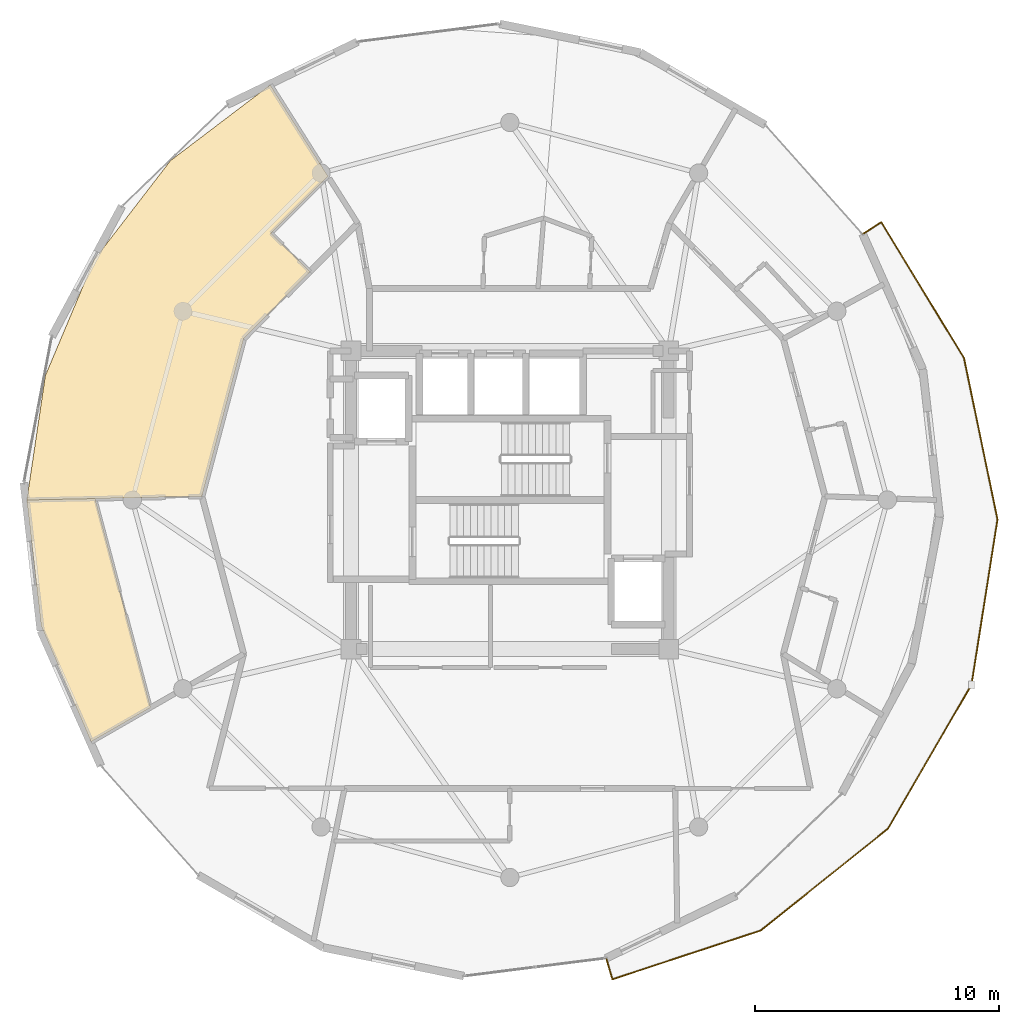
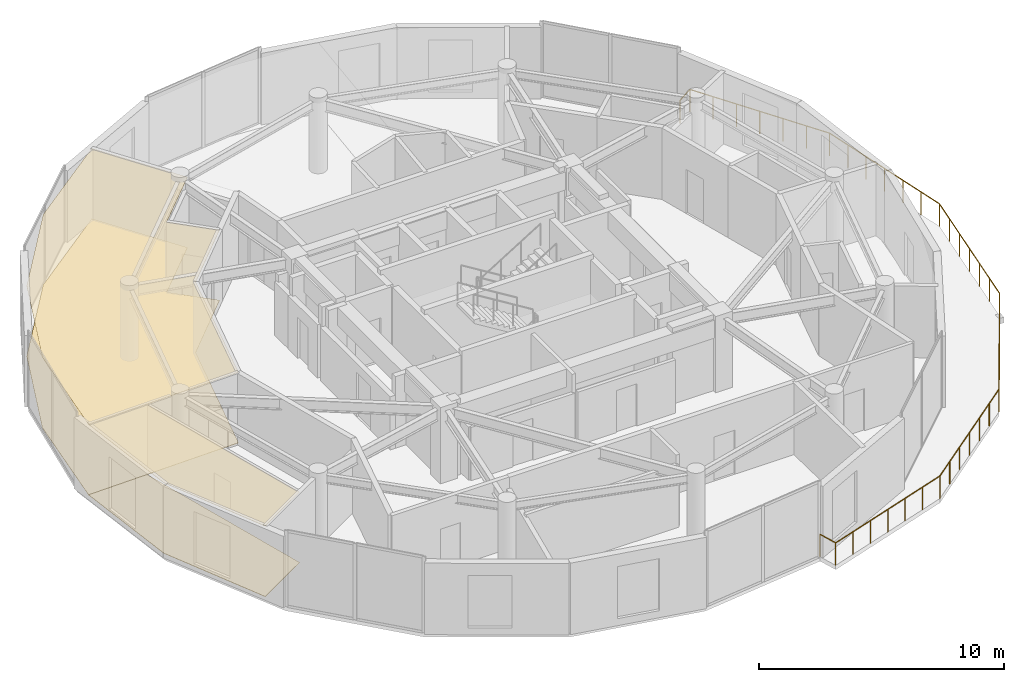
# One storey, part 22 of 23: 4 coverings, 1 railing.
"""IFC4 building model written with IfcOpenShell, lengths in metres."""

from ifc_helpers import new_model, si_unit, direction, frame, origin, origin_2d, place, context, subcontext, project, spatial, polyline, circle, outline, extrude, material, layer, layer_set, type_object, element, save


model = new_model("IFC4")

# Units and contexts
model_context = context("Model", 3, precision=1e-05, world=origin(), true_north=direction((0.0, 1.0)))
body_context = subcontext(model_context, "Body", "Model", "MODEL_VIEW")
ifc_project = project(units=[si_unit("LENGTHUNIT", "METRE"), si_unit("AREAUNIT", "SQUARE_METRE"), si_unit("VOLUMEUNIT", "CUBIC_METRE"), si_unit("PLANEANGLEUNIT", "RADIAN"), si_unit("MASSUNIT", "GRAM", prefix="KILO")], contexts=[model_context])

# Site, building, storey
site_placement = place(None, origin())
site = spatial("IfcSite", under=ifc_project, at=site_placement, CompositionType="ELEMENT")
building_placement = place(site_placement, origin())
building = spatial("IfcBuilding", under=site, at=building_placement, Name="Solvirekh Grand Hotel", CompositionType="ELEMENT")
storey_placement = place(building_placement, frame((0.0, 0.0, 285.800048828125)))
storey = spatial("IfcBuildingStorey", under=building, at=storey_placement, Name="L74", CompositionType="ELEMENT", Elevation=285.800048828125)

# Coverings
ifc_material_1 = material(Name="Acoustic Mineral Ceiling Tile")
ifc_layer_1 = layer(ifc_material_1, 0.02490234375)
ifc_layer_set_1 = layer_set([ifc_layer_1], Name="Acoustic Mineral Ceiling Tile")
covering_type_1 = type_object("IfcCoveringType", Name="Cov_Ceiling_Acoustic", PredefinedType="CEILING", material=ifc_layer_set_1)
covering_1_placement = place(storey_placement, frame((0.0, 0.0, 3.52001953125)))
element("IfcCovering", 1, at=covering_1_placement, inside=storey, type_object=covering_type_1, Name="L74 Diplomatic Suite 7603 Living Room acoustic ceiling", PredefinedType="CEILING", context=body_context, shape_type="SweptSolid", body=[
    extrude(outline(polyline([(-9.76611328125, 10.916015625), (-7.443115234375, 13.248046875), (-9.806884765625, 16.986083984375), (-13.887939453125, 13.887939453125), (-17.014892578125, 9.822998046875), (-19.008056640625, 5.093017578125), (-19.76611328125, 0.0), (-12.60009765625, 0.14990234375), (-10.89208984375, 6.60009765625), (-8.18505859375, 9.339111328125), (-9.76611328125, 10.916015625)])), origin(), (0.0, 0.0, 1.0), 0.017822265625),
])
covering_2_placement = place(storey_placement, frame((0.0, 0.0, 3.52001953125)))
element("IfcCovering", 2, at=covering_2_placement, inside=storey, type_object=covering_type_1, Name="L74 Diplomatic Suite 7603 Master Bedroom acoustic ceiling", PredefinedType="CEILING", context=body_context, shape_type="SweptSolid", body=[
    extrude(outline(polyline([(-19.76611328125, 0.0), (-19.180908203125, -5.139892578125), (-17.135986328125, -9.89306640625), (-14.700927734375, -8.491943359375), (-16.970947265625, 0.05810546875), (-19.76611328125, 0.0)])), origin(), (0.0, 0.0, 1.0), 0.017822265625),
])
ifc_material_2 = material(Name="Porcelain Stoneware Flooring", Category="masonry")
ifc_layer_2 = layer(ifc_material_2, 0.030029296875)
ifc_layer_set_2 = layer_set([ifc_layer_2], Name="Porcelain Stoneware Flooring")
covering_type_2 = type_object("IfcCoveringType", Name="Cov_Floor_Stone", PredefinedType="FLOORING", material=ifc_layer_set_2)
covering_3_placement = place(storey_placement, origin())
element("IfcCovering", 3, at=covering_3_placement, inside=storey, type_object=covering_type_2, Name="L74 Diplomatic Suite 7603 Living Room polished granite flooring", PredefinedType="FLOORING", context=body_context, shape_type="SweptSolid", body=[
    extrude(outline(polyline([(-9.76611328125, 10.916015625), (-7.443115234375, 13.248046875), (-9.806884765625, 16.986083984375), (-13.887939453125, 13.887939453125), (-17.014892578125, 9.822998046875), (-19.008056640625, 5.093017578125), (-19.76611328125, 0.0), (-12.60009765625, 0.14990234375), (-10.89208984375, 6.60009765625), (-8.18505859375, 9.339111328125), (-9.76611328125, 10.916015625)])), origin(), (0.0, 0.0, 1.0), 0.02001953125),
])
covering_4_placement = place(storey_placement, origin())
element("IfcCovering", 4, at=covering_4_placement, inside=storey, type_object=covering_type_2, Name="L74 Diplomatic Suite 7603 Master Bedroom polished granite flooring", PredefinedType="FLOORING", context=body_context, shape_type="SweptSolid", body=[
    extrude(outline(polyline([(-19.76611328125, 0.0), (-19.180908203125, -5.139892578125), (-17.135986328125, -9.89306640625), (-14.700927734375, -8.491943359375), (-16.970947265625, 0.05810546875), (-19.76611328125, 0.0)])), origin(), (0.0, 0.0, 1.0), 0.02001953125),
])

# Railing
ifc_material_3 = material(Name="Anodized Bronze Aluminium 6063-T6", Category="aluminium")
railing_type = type_object("IfcRailingType", Name="Guard_ExtGlass_1150", PredefinedType="BALUSTRADE", material=ifc_material_3)
railing_placement = place(storey_placement, frame((3.94091796875, -18.7509765625, 0.0)))
element("IfcRailing", 5, at=railing_placement, inside=storey, type_object=railing_type, Name="L74 balc perimeter glass balustrade", PredefinedType="BALUSTRADE", context=body_context, shape_type="SweptSolid", body=[
    extrude(circle(Radius=0.02392578125, at=origin_2d()), frame((0.0, 0.0, 1.1259765625), z_axis=(0.284485353738, -0.958680386525, 0.0), x_axis=(0.958680386525, 0.284485353738, 0.0)), (0.0, 0.0, 1.0), 0.900146484375),
    extrude(circle(Radius=0.02392578125, at=origin_2d()), frame((0.256103515625, -0.863037109375, 1.1259765625), z_axis=(0.949864177173, 0.312662829455, 0.0), x_axis=(-0.312662829455, 0.949864177173, 0.0)), (0.0, 0.0, 1.0), 6.3935546875),
    extrude(circle(Radius=0.02392578125, at=origin_2d()), frame((6.3291015625, 1.135986328125, 1.1259765625), z_axis=(0.780829450263, 0.624744243353, 0.0), x_axis=(-0.624744243353, 0.780829450263, 0.0)), (0.0, 0.0, 1.0), 6.656982421875),
    extrude(circle(Radius=0.02392578125, at=origin_2d()), frame((11.527099609375, 5.294921875, 1.1259765625), z_axis=(0.502431836668, 0.864616822357, 0.0), x_axis=(-0.864616822357, 0.502431836668, 0.0)), (0.0, 0.0, 1.0), 6.81689453125),
    extrude(circle(Radius=0.02392578125, at=origin_2d()), frame((14.9521484375, 11.18896484375, 1.1259765625), z_axis=(0.155340202918, 0.987861033424, 0.0), x_axis=(-0.987861033424, 0.155340202918, 0.0)), (0.0, 0.0, 1.0), 6.849365234375),
    extrude(circle(Radius=0.02392578125, at=origin_2d()), frame((16.01611328125, 17.955078125, 1.1259765625), z_axis=(-0.203280622136, 0.979120517947, 0.0), x_axis=(-0.979120517947, -0.203280622136, 0.0)), (0.0, 0.0, 1.0), 6.744873046875),
    extrude(circle(Radius=0.02392578125, at=origin_2d()), frame((14.64501953125, 24.55908203125, 1.1259765625), z_axis=(-0.520404772646, 0.853919710867, 0.0), x_axis=(-0.853919710867, -0.520404772646, 0.0)), (0.0, 0.0, 1.0), 6.511962890625),
    extrude(circle(Radius=0.02392578125, at=origin_2d()), frame((11.256103515625, 30.119873046875, 1.1259765625), z_axis=(-0.841116779826, -0.540853550136, 0.0), x_axis=(0.540853550136, -0.841116779826, 0.0)), (0.0, 0.0, 1.0), 0.900146484375),
    extrude(circle(Radius=0.02099609375, at=origin_2d()), origin(), (0.0, 0.0, 1.0), 1.101806640625),
    extrude(circle(Radius=0.02099609375, at=origin_2d()), frame((0.256103515625, -0.863037109375, 0.0)), (0.0, 0.0, 1.0), 1.101806640625),
    extrude(circle(Radius=0.02099609375, at=origin_2d()), frame((1.268310546875, -0.52978515625, 0.0)), (0.0, 0.0, 1.0), 1.101806640625),
    extrude(circle(Radius=0.02099609375, at=origin_2d()), frame((2.280517578125, -0.19677734375, 0.0)), (0.0, 0.0, 1.0), 1.101806640625),
    extrude(circle(Radius=0.02099609375, at=origin_2d()), frame((3.29248046875, 0.136474609375, 0.0)), (0.0, 0.0, 1.0), 1.101806640625),
    extrude(circle(Radius=0.02099609375, at=origin_2d()), frame((4.3046875, 0.4697265625, 0.0)), (0.0, 0.0, 1.0), 1.101806640625),
    extrude(circle(Radius=0.02099609375, at=origin_2d()), frame((5.31689453125, 0.802734375, 0.0)), (0.0, 0.0, 1.0), 1.101806640625),
    extrude(circle(Radius=0.02099609375, at=origin_2d()), frame((6.3291015625, 1.135986328125, 0.0)), (0.0, 0.0, 1.0), 1.101806640625),
    extrude(circle(Radius=0.02099609375, at=origin_2d()), frame((7.1953125, 1.8291015625, 0.0)), (0.0, 0.0, 1.0), 1.101806640625),
    extrude(circle(Radius=0.02099609375, at=origin_2d()), frame((8.061767578125, 2.522216796875, 0.0)), (0.0, 0.0, 1.0), 1.101806640625),
    extrude(circle(Radius=0.02099609375, at=origin_2d()), frame((8.92822265625, 3.21533203125, 0.0)), (0.0, 0.0, 1.0), 1.101806640625),
    extrude(circle(Radius=0.02099609375, at=origin_2d()), frame((9.79443359375, 3.90869140625, 0.0)), (0.0, 0.0, 1.0), 1.101806640625),
    extrude(circle(Radius=0.02099609375, at=origin_2d()), frame((10.66064453125, 4.601806640625, 0.0)), (0.0, 0.0, 1.0), 1.101806640625),
    extrude(circle(Radius=0.02099609375, at=origin_2d()), frame((11.527099609375, 5.294921875, 0.0)), (0.0, 0.0, 1.0), 1.101806640625),
    extrude(circle(Radius=0.02099609375, at=origin_2d()), frame((12.097900390625, 6.27734375, 0.0)), (0.0, 0.0, 1.0), 1.101806640625),
    extrude(circle(Radius=0.02099609375, at=origin_2d()), frame((12.668701171875, 7.259521484375, 0.0)), (0.0, 0.0, 1.0), 1.101806640625),
    extrude(circle(Radius=0.02099609375, at=origin_2d()), frame((13.23974609375, 8.241943359375, 0.0)), (0.0, 0.0, 1.0), 1.101806640625),
    extrude(circle(Radius=0.02099609375, at=origin_2d()), frame((13.810546875, 9.224365234375, 0.0)), (0.0, 0.0, 1.0), 1.101806640625),
    extrude(circle(Radius=0.02099609375, at=origin_2d()), frame((14.38134765625, 10.20654296875, 0.0)), (0.0, 0.0, 1.0), 1.101806640625),
    extrude(circle(Radius=0.02099609375, at=origin_2d()), frame((14.9521484375, 11.18896484375, 0.0)), (0.0, 0.0, 1.0), 1.101806640625),
    extrude(circle(Radius=0.02099609375, at=origin_2d()), frame((15.12939453125, 12.316650390625, 0.0)), (0.0, 0.0, 1.0), 1.101806640625),
    extrude(circle(Radius=0.02099609375, at=origin_2d()), frame((15.306884765625, 13.4443359375, 0.0)), (0.0, 0.0, 1.0), 1.101806640625),
    extrude(circle(Radius=0.02099609375, at=origin_2d()), frame((15.484130859375, 14.572021484375, 0.0)), (0.0, 0.0, 1.0), 1.101806640625),
    extrude(circle(Radius=0.02099609375, at=origin_2d()), frame((15.661376953125, 15.69970703125, 0.0)), (0.0, 0.0, 1.0), 1.101806640625),
    extrude(circle(Radius=0.02099609375, at=origin_2d()), frame((15.8388671875, 16.827392578125, 0.0)), (0.0, 0.0, 1.0), 1.101806640625),
    extrude(circle(Radius=0.02099609375, at=origin_2d()), frame((16.01611328125, 17.955078125, 0.0)), (0.0, 0.0, 1.0), 1.101806640625),
    extrude(circle(Radius=0.02099609375, at=origin_2d()), frame((15.78759765625, 19.0556640625, 0.0)), (0.0, 0.0, 1.0), 1.101806640625),
    extrude(circle(Radius=0.02099609375, at=origin_2d()), frame((15.55908203125, 20.156494140625, 0.0)), (0.0, 0.0, 1.0), 1.101806640625),
    extrude(circle(Radius=0.02099609375, at=origin_2d()), frame((15.33056640625, 21.257080078125, 0.0)), (0.0, 0.0, 1.0), 1.101806640625),
    extrude(circle(Radius=0.02099609375, at=origin_2d()), frame((15.10205078125, 22.357666015625, 0.0)), (0.0, 0.0, 1.0), 1.101806640625),
    extrude(circle(Radius=0.02099609375, at=origin_2d()), frame((14.87353515625, 23.45849609375, 0.0)), (0.0, 0.0, 1.0), 1.101806640625),
    extrude(circle(Radius=0.02099609375, at=origin_2d()), frame((14.64501953125, 24.55908203125, 0.0)), (0.0, 0.0, 1.0), 1.101806640625),
    extrude(circle(Radius=0.02099609375, at=origin_2d()), frame((14.080078125, 25.48583984375, 0.0)), (0.0, 0.0, 1.0), 1.101806640625),
    extrude(circle(Radius=0.02099609375, at=origin_2d()), frame((13.515380859375, 26.41259765625, 0.0)), (0.0, 0.0, 1.0), 1.101806640625),
    extrude(circle(Radius=0.02099609375, at=origin_2d()), frame((12.95068359375, 27.33935546875, 0.0)), (0.0, 0.0, 1.0), 1.101806640625),
    extrude(circle(Radius=0.02099609375, at=origin_2d()), frame((12.3857421875, 28.266357421875, 0.0)), (0.0, 0.0, 1.0), 1.101806640625),
    extrude(circle(Radius=0.02099609375, at=origin_2d()), frame((11.82080078125, 29.193115234375, 0.0)), (0.0, 0.0, 1.0), 1.101806640625),
    extrude(circle(Radius=0.02099609375, at=origin_2d()), frame((11.256103515625, 30.119873046875, 0.0)), (0.0, 0.0, 1.0), 1.101806640625),
    extrude(circle(Radius=0.02099609375, at=origin_2d()), frame((10.4990234375, 29.633056640625, 0.0)), (0.0, 0.0, 1.0), 1.101806640625),
])

save(model, "model.ifc")
